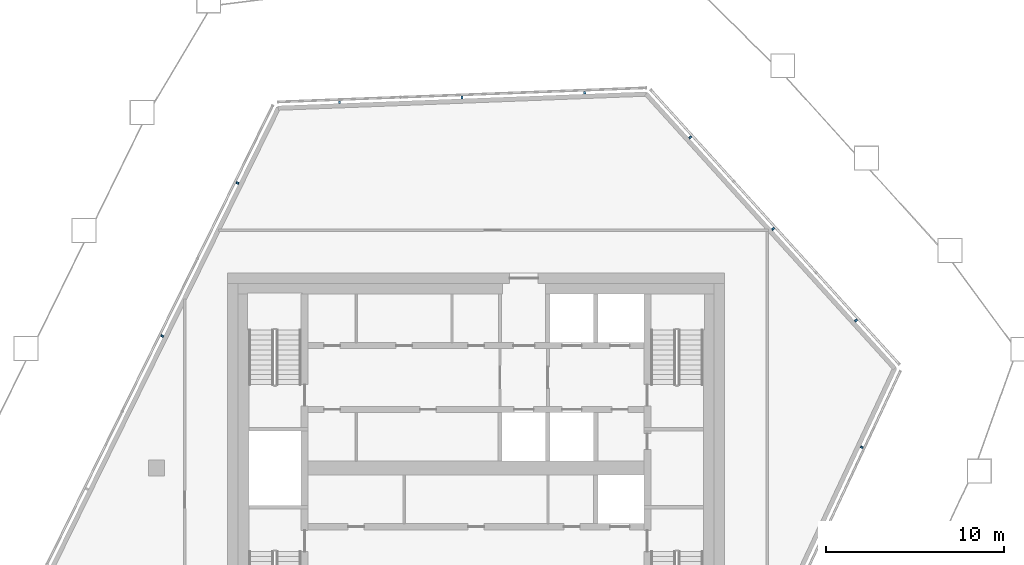
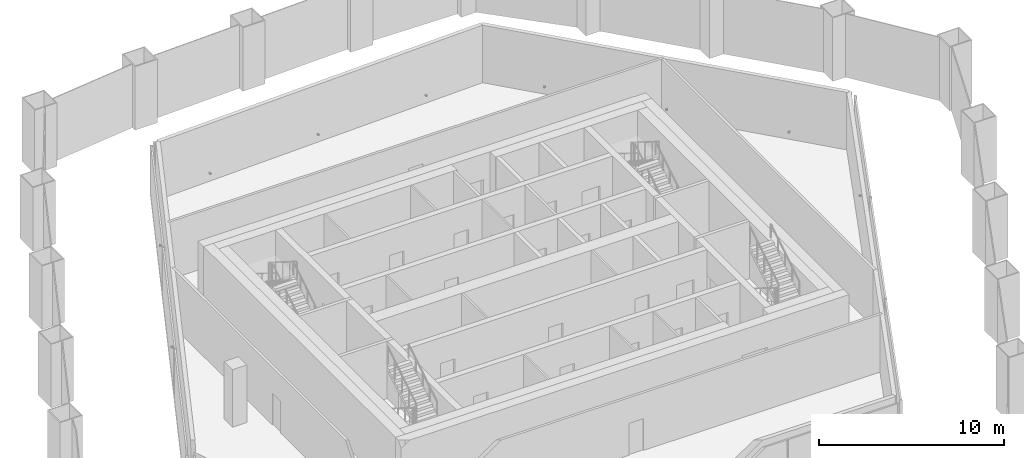
# One storey, part 11 of 18: 9 discrete accessories, 4 elements without a shape of their own.
"""IFC4 building model written with IfcOpenShell, lengths in metres."""

from ifc_helpers import new_model, si_unit, direction, frame, origin, origin_2d, place, context, subcontext, project, spatial, rectangle, extrude, material, layer, layer_set, type_object, element, aggregate, save


model = new_model("IFC4")

# Units and contexts
model_context = context("Model", 3, precision=1e-05, world=origin(), true_north=direction((0.0, 1.0)))
body_context = subcontext(model_context, "Body", "Model", "MODEL_VIEW")
ifc_project = project(units=[si_unit("LENGTHUNIT", "METRE"), si_unit("AREAUNIT", "SQUARE_METRE"), si_unit("VOLUMEUNIT", "CUBIC_METRE"), si_unit("PLANEANGLEUNIT", "RADIAN"), si_unit("MASSUNIT", "GRAM", prefix="KILO")], contexts=[model_context])

# Site, building, storey
site_placement = place(None, origin())
site = spatial("IfcSite", under=ifc_project, at=site_placement, CompositionType="ELEMENT")
building_placement = place(site_placement, origin())
building = spatial("IfcBuilding", under=site, at=building_placement, Name="Dongbaek Canopy Tower", CompositionType="ELEMENT")
storey_placement = place(building_placement, frame((0.0, 0.0, 363.199951171875)))
storey = spatial("IfcBuildingStorey", under=building, at=storey_placement, Name="L78", CompositionType="ELEMENT", Elevation=363.199951171875)

# Curtain wall, discrete accessory
ifc_material_1 = material(Name="Aluminium 6063-T6 pale anodised", Category="aluminium")
ifc_layer = layer(ifc_material_1, 0.14990234375)
ifc_layer_set = layer_set([ifc_layer], Name="CW-7 louvre curtain wall")
curtain_wall_type = type_object("IfcCurtainWallType", Name="CW-7 louvre curtain wall", PredefinedType="NOTDEFINED", material=ifc_layer_set)
curtain_wall_1_placement = place(storey_placement, origin())
curtain_wall_1 = element("IfcCurtainWall", 1, at=curtain_wall_1_placement, inside=storey, type_object=curtain_wall_type, Name="CW-7 louvre wall L78 F1", PredefinedType="NOTDEFINED")
ifc_material_2 = material(Name="Galvanised steel S355 bracket", Category="steel")
discrete_accessory_type = type_object("IfcDiscreteAccessoryType", Name="Louvre bracket BR1", PredefinedType="BRACKET", material=ifc_material_2)
discrete_accessory_1_placement = place(storey_placement, frame((21.72802734375, 1.181884765625, 0.18994140625), z_axis=(0.0, 0.0, 1.0), x_axis=(0.42412286138, 0.905604659029, 0.0)))
discrete_accessory_1 = element("IfcDiscreteAccessory", 2, at=discrete_accessory_1_placement, type_object=discrete_accessory_type, Name="Louvre bracket L78 F1.1.3", PredefinedType="BRACKET", context=body_context, shape_type="SweptSolid", body=[
    extrude(rectangle(XDim=0.1201171875, YDim=0.14990234375, at=origin_2d()), origin(), (0.0, 0.0, 1.0), 0.10009765625),
])
aggregate(curtain_wall_1, [discrete_accessory_1])

# Curtain wall, discrete accessories
curtain_wall_2_placement = place(storey_placement, origin())
curtain_wall_2 = element("IfcCurtainWall", 3, at=curtain_wall_2_placement, inside=storey, type_object=curtain_wall_type, Name="CW-7 louvre wall L78 F2", PredefinedType="NOTDEFINED")
discrete_accessory_2_placement = place(storey_placement, frame((21.397705078125, 8.324462890625, 0.18994140625), z_axis=(0.0, 0.0, 1.0), x_axis=(-0.671259717142, 0.741222228581, 0.0)))
discrete_accessory_2 = element("IfcDiscreteAccessory", 4, at=discrete_accessory_2_placement, type_object=discrete_accessory_type, Name="Louvre bracket L78 F2.1.1", PredefinedType="BRACKET", context=body_context, shape_type="SweptSolid", body=[
    extrude(rectangle(XDim=0.1201171875, YDim=0.14990234375, at=origin_2d()), origin(), (0.0, 0.0, 1.0), 0.10009765625),
])
discrete_accessory_3_placement = place(storey_placement, frame((16.731201171875, 13.4775390625, 0.18994140625), z_axis=(0.0, 0.0, 1.0), x_axis=(-0.671259717142, 0.741222228581, 0.0)))
discrete_accessory_3 = element("IfcDiscreteAccessory", 5, at=discrete_accessory_3_placement, type_object=discrete_accessory_type, Name="Louvre bracket L78 F2.1.2", PredefinedType="BRACKET", context=body_context, shape_type="SweptSolid", body=[
    extrude(rectangle(XDim=0.1201171875, YDim=0.14990234375, at=origin_2d()), origin(), (0.0, 0.0, 1.0), 0.10009765625),
])
discrete_accessory_4_placement = place(storey_placement, frame((12.064697265625, 18.63037109375, 0.18994140625), z_axis=(0.0, 0.0, 1.0), x_axis=(-0.671259717142, 0.741222228581, 0.0)))
discrete_accessory_4 = element("IfcDiscreteAccessory", 6, at=discrete_accessory_4_placement, type_object=discrete_accessory_type, Name="Louvre bracket L78 F2.1.3", PredefinedType="BRACKET", context=body_context, shape_type="SweptSolid", body=[
    extrude(rectangle(XDim=0.1201171875, YDim=0.14990234375, at=origin_2d()), origin(), (0.0, 0.0, 1.0), 0.10009765625),
])
aggregate(curtain_wall_2, [discrete_accessory_2, discrete_accessory_3, discrete_accessory_4])

curtain_wall_3_placement = place(storey_placement, origin())
curtain_wall_3 = element("IfcCurtainWall", 7, at=curtain_wall_3_placement, inside=storey, type_object=curtain_wall_type, Name="CW-7 louvre wall L78 F3", PredefinedType="NOTDEFINED")
discrete_accessory_5_placement = place(storey_placement, frame((6.121826171875, 21.14013671875, 0.18994140625), z_axis=(0.0, 0.0, 1.0), x_axis=(-0.999268890611, -0.038231979514, 0.0)))
discrete_accessory_5 = element("IfcDiscreteAccessory", 8, at=discrete_accessory_5_placement, type_object=discrete_accessory_type, Name="Louvre bracket L78 F3.1.1", PredefinedType="BRACKET", context=body_context, shape_type="SweptSolid", body=[
    extrude(rectangle(XDim=0.1201171875, YDim=0.14990234375, at=origin_2d()), origin(), (0.0, 0.0, 1.0), 0.10009765625),
])
discrete_accessory_6_placement = place(storey_placement, frame((-0.78515625, 20.8759765625, 0.18994140625), z_axis=(0.0, 0.0, 1.0), x_axis=(-0.999268890611, -0.038231979514, 0.0)))
discrete_accessory_6 = element("IfcDiscreteAccessory", 9, at=discrete_accessory_6_placement, type_object=discrete_accessory_type, Name="Louvre bracket L78 F3.1.2", PredefinedType="BRACKET", context=body_context, shape_type="SweptSolid", body=[
    extrude(rectangle(XDim=0.1201171875, YDim=0.14990234375, at=origin_2d()), origin(), (0.0, 0.0, 1.0), 0.10009765625),
])
discrete_accessory_7_placement = place(storey_placement, frame((-7.6923828125, 20.61181640625, 0.18994140625), z_axis=(0.0, 0.0, 1.0), x_axis=(-0.999268890611, -0.038231979514, 0.0)))
discrete_accessory_7 = element("IfcDiscreteAccessory", 10, at=discrete_accessory_7_placement, type_object=discrete_accessory_type, Name="Louvre bracket L78 F3.1.3", PredefinedType="BRACKET", context=body_context, shape_type="SweptSolid", body=[
    extrude(rectangle(XDim=0.1201171875, YDim=0.14990234375, at=origin_2d()), origin(), (0.0, 0.0, 1.0), 0.10009765625),
])
aggregate(curtain_wall_3, [discrete_accessory_5, discrete_accessory_6, discrete_accessory_7])

curtain_wall_4_placement = place(storey_placement, origin())
curtain_wall_4 = element("IfcCurtainWall", 11, at=curtain_wall_4_placement, inside=storey, type_object=curtain_wall_type, Name="CW-7 louvre wall L78 F4", PredefinedType="NOTDEFINED")
discrete_accessory_8_placement = place(storey_placement, frame((-13.436767578125, 16.06005859375, 0.18994140625), z_axis=(0.0, 0.0, 1.0), x_axis=(-0.441341619439, -0.897339163834, 0.0)))
discrete_accessory_8 = element("IfcDiscreteAccessory", 12, at=discrete_accessory_8_placement, type_object=discrete_accessory_type, Name="Louvre bracket L78 F4.1.1", PredefinedType="BRACKET", context=body_context, shape_type="SweptSolid", body=[
    extrude(rectangle(XDim=0.1201171875, YDim=0.14990234375, at=origin_2d()), origin(), (0.0, 0.0, 1.0), 0.10009765625),
])
discrete_accessory_9_placement = place(storey_placement, frame((-17.67431640625, 7.444091796875, 0.18994140625), z_axis=(0.0, 0.0, 1.0), x_axis=(-0.441341619439, -0.897339163834, 0.0)))
discrete_accessory_9 = element("IfcDiscreteAccessory", 13, at=discrete_accessory_9_placement, type_object=discrete_accessory_type, Name="Louvre bracket L78 F4.1.2", PredefinedType="BRACKET", context=body_context, shape_type="SweptSolid", body=[
    extrude(rectangle(XDim=0.1201171875, YDim=0.14990234375, at=origin_2d()), origin(), (0.0, 0.0, 1.0), 0.10009765625),
])
aggregate(curtain_wall_4, [discrete_accessory_8, discrete_accessory_9])

save(model, "model.ifc")
